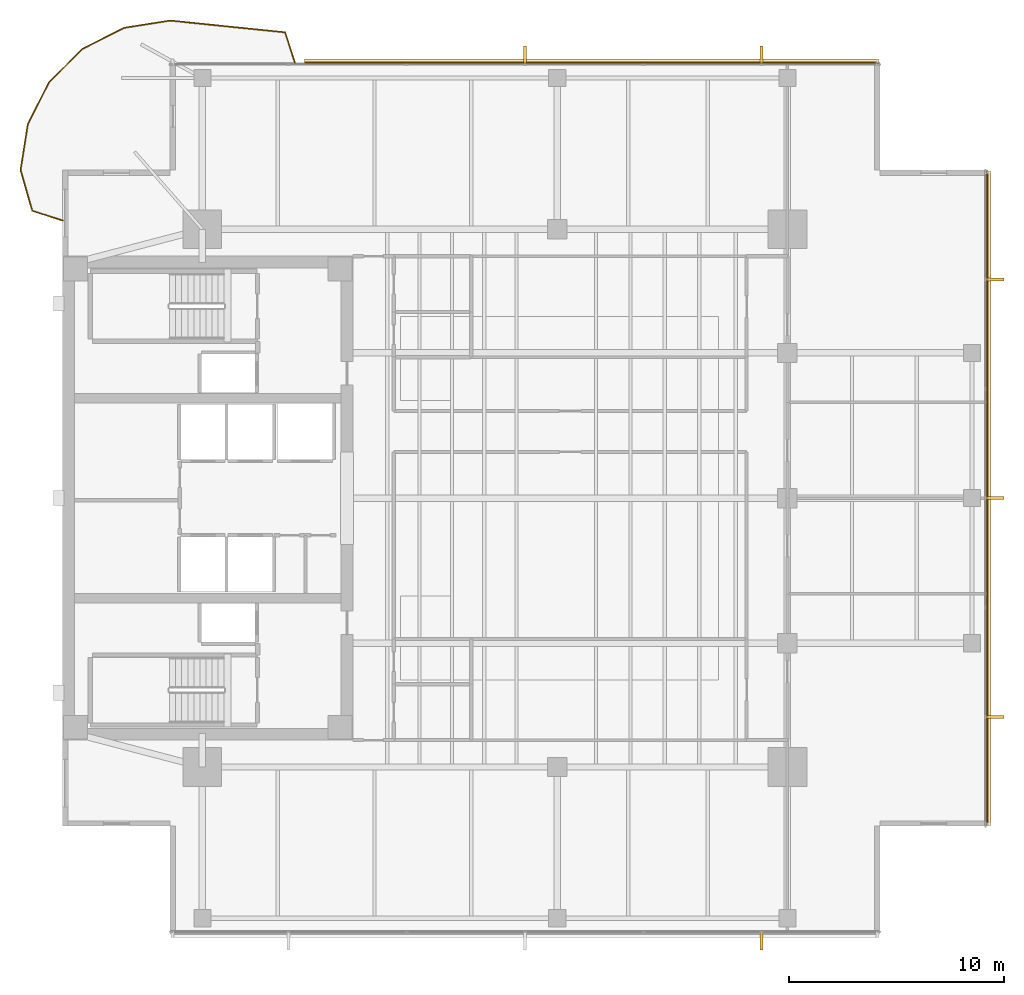
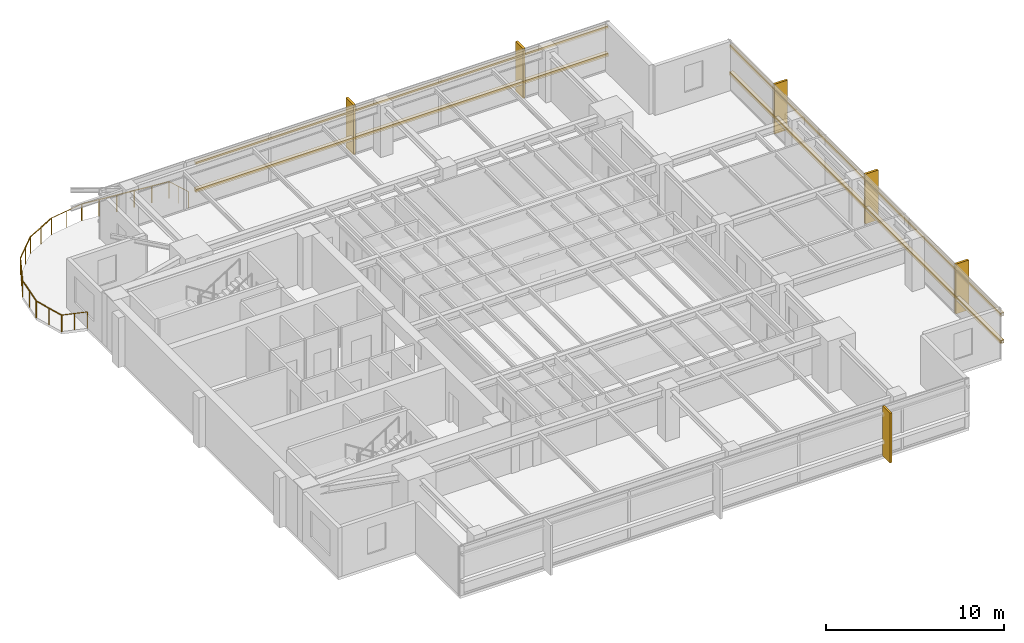
# One storey, part 14 of 14: 10 coverings, 9 railings, 4 shading devices.
"""IFC4 building model written with IfcOpenShell, lengths in metres."""

from ifc_helpers import new_model, si_unit, direction, frame, origin, origin_2d, place, context, subcontext, project, spatial, polyline, rectangle, circle, outline, extrude, material, layer, layer_set, material_profile, profile_set, type_object, element, save


model = new_model("IFC4")

# Units and contexts
model_context = context("Model", 3, precision=1e-05, world=origin(), true_north=direction((0.0, 1.0)))
body_context = subcontext(model_context, "Body", "Model", "MODEL_VIEW")
ifc_project = project(units=[si_unit("LENGTHUNIT", "METRE"), si_unit("AREAUNIT", "SQUARE_METRE"), si_unit("VOLUMEUNIT", "CUBIC_METRE"), si_unit("PLANEANGLEUNIT", "RADIAN"), si_unit("MASSUNIT", "GRAM", prefix="KILO")], contexts=[model_context])

# Site, building, storey
site_placement = place(None, origin())
site = spatial("IfcSite", under=ifc_project, at=site_placement, CompositionType="ELEMENT")
building_placement = place(site_placement, origin())
building = spatial("IfcBuilding", under=site, at=building_placement, Name="Kinhvarn Gate Tower", CompositionType="ELEMENT")
storey_placement = place(building_placement, frame((0.0, 0.0, 202.25)))
storey = spatial("IfcBuildingStorey", under=building, at=storey_placement, Name="L53", CompositionType="ELEMENT", Elevation=202.25)

# Coverings
ifc_material_1 = material(Name="Fired architectural terracotta", Category="masonry")
ifc_layer_1 = layer(ifc_material_1, 0.239990234375)
ifc_layer_set_1 = layer_set([ifc_layer_1], Name="Fired architectural terracotta")
covering_type_1 = type_object("IfcCoveringType", Name="COV-BAG-220", PredefinedType="CLADDING", material=ifc_layer_set_1)
for number, where, name in (
    (1, (0.0, 0.0, 0.93994140625), "Terracotta Horizontal Sunscreen Band TBG-220 (L53)"),
    (2, (0.0, 0.0, 2.81005859375), "Terracotta Horizontal Sunscreen Band TBG-220 (L53)"),
):
    element("IfcCovering", number, at=place(storey_placement, frame(where)), inside=storey, type_object=covering_type_1, Name=name, PredefinedType="CLADDING", context=body_context, shape_type="SweptSolid", body=[
        extrude(outline(polyline([(42.4599609375, 45.429931640625), (15.7490234375, 45.429931640625), (15.7490234375, 45.669921875), (42.4599609375, 45.669921875), (42.4599609375, 45.429931640625)])), origin(), (0.0, 0.0, 1.0), 0.219970703125),
    ])
for number, where, name in (
    (3, (0.0, 0.0, 0.93994140625), "Terracotta Horizontal Sunscreen Band TBG-220 (L53)"),
    (4, (0.0, 0.0, 2.81005859375), "Terracotta Horizontal Sunscreen Band TBG-220 (L53)"),
):
    element("IfcCovering", number, at=place(storey_placement, frame(where)), inside=storey, type_object=covering_type_1, Name=name, PredefinedType="CLADDING", context=body_context, shape_type="SweptSolid", body=[
        extrude(outline(polyline([(47.429931640625, 10.0400390625), (47.429931640625, 40.4599609375), (47.669921875, 40.4599609375), (47.669921875, 10.0400390625), (47.429931640625, 10.0400390625)])), origin(), (0.0, 0.0, 1.0), 0.219970703125),
    ])
ifc_layer_2 = layer(ifc_material_1, 0.139892578125)
ifc_layer_set_2 = layer_set([ifc_layer_2], Name="Fired architectural terracotta")
covering_type_2 = type_object("IfcCoveringType", Name="COV-FIN-850", PredefinedType="CLADDING", material=ifc_layer_set_2)
covering_1_placement = place(storey_placement, frame((0.0, 0.0, -0.02001953125)))
element("IfcCovering", 5, at=covering_1_placement, inside=storey, type_object=covering_type_2, Name="Vertical Terracotta Expressive Fin TFN-850 (L53)", PredefinedType="CLADDING", context=body_context, shape_type="SweptSolid", body=[
    extrude(outline(polyline([(36.929931640625, 5.080078125), (37.070068359375, 5.080078125), (37.070068359375, 4.22998046875), (36.929931640625, 4.22998046875), (36.929931640625, 5.080078125)])), origin(), (0.0, 0.0, 1.0), 3.409912109375),
])
covering_2_placement = place(storey_placement, frame((0.0, 0.0, -0.02001953125)))
element("IfcCovering", 6, at=covering_2_placement, inside=storey, type_object=covering_type_2, Name="Vertical Terracotta Expressive Fin TFN-850 (L53)", PredefinedType="CLADDING", context=body_context, shape_type="SweptSolid", body=[
    extrude(outline(polyline([(37.070068359375, 45.419921875), (36.929931640625, 45.419921875), (36.929931640625, 46.27001953125), (37.070068359375, 46.27001953125), (37.070068359375, 45.419921875)])), origin(), (0.0, 0.0, 1.0), 3.409912109375),
])
covering_3_placement = place(storey_placement, frame((0.0, 0.0, -0.02001953125)))
element("IfcCovering", 7, at=covering_3_placement, inside=storey, type_object=covering_type_2, Name="Vertical Terracotta Expressive Fin TFN-850 (L53)", PredefinedType="CLADDING", context=body_context, shape_type="SweptSolid", body=[
    extrude(outline(polyline([(26.070068359375, 45.419921875), (25.929931640625, 45.419921875), (25.929931640625, 46.27001953125), (26.070068359375, 46.27001953125), (26.070068359375, 45.419921875)])), origin(), (0.0, 0.0, 1.0), 3.409912109375),
])
covering_4_placement = place(storey_placement, frame((0.0, 0.0, -0.02001953125)))
element("IfcCovering", 8, at=covering_4_placement, inside=storey, type_object=covering_type_2, Name="Vertical Terracotta Expressive Fin TFN-850 (L53)", PredefinedType="CLADDING", context=body_context, shape_type="SweptSolid", body=[
    extrude(outline(polyline([(47.419921875, 15.01318359375), (47.419921875, 15.1533203125), (48.27001953125, 15.1533203125), (48.27001953125, 15.01318359375), (47.419921875, 15.01318359375)])), origin(), (0.0, 0.0, 1.0), 3.409912109375),
])
covering_5_placement = place(storey_placement, frame((0.0, 0.0, -0.02001953125)))
element("IfcCovering", 9, at=covering_5_placement, inside=storey, type_object=covering_type_2, Name="Vertical Terracotta Expressive Fin TFN-850 (L53)", PredefinedType="CLADDING", context=body_context, shape_type="SweptSolid", body=[
    extrude(outline(polyline([(47.419921875, 25.179931640625), (47.419921875, 25.320068359375), (48.27001953125, 25.320068359375), (48.27001953125, 25.179931640625), (47.419921875, 25.179931640625)])), origin(), (0.0, 0.0, 1.0), 3.409912109375),
])
covering_6_placement = place(storey_placement, frame((0.0, 0.0, -0.02001953125)))
element("IfcCovering", 10, at=covering_6_placement, inside=storey, type_object=covering_type_2, Name="Vertical Terracotta Expressive Fin TFN-850 (L53)", PredefinedType="CLADDING", context=body_context, shape_type="SweptSolid", body=[
    extrude(outline(polyline([(47.419921875, 35.3466796875), (47.419921875, 35.48681640625), (48.27001953125, 35.48681640625), (48.27001953125, 35.3466796875), (47.419921875, 35.3466796875)])), origin(), (0.0, 0.0, 1.0), 3.409912109375),
])

# Railings
ifc_material_2 = material(Name="Clear low-e double glazing", Category="glass")
railing_type = type_object("IfcRailingType", Name="RL-BAL-1150", PredefinedType="BALUSTRADE", material=ifc_material_2)
railing_1_placement = place(storey_placement, frame((15.299072265625, 45.5, 0.0)))
element("IfcRailing", 11, at=railing_1_placement, inside=storey, type_object=railing_type, Name="S-Carve Balcony Guardrail Seg 1 (L53)", PredefinedType="BALUSTRADE", context=body_context, shape_type="SweptSolid", body=[
    extrude(circle(Radius=0.02392578125, at=origin_2d()), frame((0.0, 0.0, 1.1259765625), z_axis=(-0.304362236663, 0.952556365205, 0.0), x_axis=(-0.952556365205, -0.304362236663, 0.0)), (0.0, 0.0, 1.0), 1.478271484375),
    extrude(circle(Radius=0.02099609375, at=origin_2d()), origin(), (0.0, 0.0, 1.0), 1.101806640625),
    extrude(circle(Radius=0.02099609375, at=origin_2d()), frame((-0.22509765625, 0.7041015625, 0.0)), (0.0, 0.0, 1.0), 1.101806640625),
    extrude(circle(Radius=0.02099609375, at=origin_2d()), frame((-0.449951171875, 1.408203125, 0.0)), (0.0, 0.0, 1.0), 1.101806640625),
])
railing_2_placement = place(storey_placement, frame((14.84912109375, 46.908203125, 0.0)))
element("IfcRailing", 12, at=railing_2_placement, inside=storey, type_object=railing_type, Name="S-Carve Balcony Guardrail Seg 2 (L53)", PredefinedType="BALUSTRADE", context=body_context, shape_type="SweptSolid", body=[
    extrude(circle(Radius=0.02392578125, at=origin_2d()), frame((0.0, 0.0, 1.1259765625), z_axis=(-0.994796080441, 0.101886006596, 0.0), x_axis=(-0.101886006596, -0.994796080441, 0.0)), (0.0, 0.0, 1.0), 5.377197265625),
    extrude(circle(Radius=0.02099609375, at=origin_2d()), origin(), (0.0, 0.0, 1.0), 1.101806640625),
    extrude(circle(Radius=0.02099609375, at=origin_2d()), frame((-1.06982421875, 0.109619140625, 0.0)), (0.0, 0.0, 1.0), 1.101806640625),
    extrude(circle(Radius=0.02099609375, at=origin_2d()), frame((-2.1396484375, 0.21923828125, 0.0)), (0.0, 0.0, 1.0), 1.101806640625),
    extrude(circle(Radius=0.02099609375, at=origin_2d()), frame((-3.20947265625, 0.32861328125, 0.0)), (0.0, 0.0, 1.0), 1.101806640625),
    extrude(circle(Radius=0.02099609375, at=origin_2d()), frame((-4.279296875, 0.438232421875, 0.0)), (0.0, 0.0, 1.0), 1.101806640625),
    extrude(circle(Radius=0.02099609375, at=origin_2d()), frame((-5.34912109375, 0.5478515625, 0.0)), (0.0, 0.0, 1.0), 1.101806640625),
])
railing_3_placement = place(storey_placement, frame((9.5, 47.4560546875, 0.0)))
element("IfcRailing", 13, at=railing_3_placement, inside=storey, type_object=railing_type, Name="S-Carve Balcony Guardrail Seg 3 (L53)", PredefinedType="BALUSTRADE", context=body_context, shape_type="SweptSolid", body=[
    extrude(circle(Radius=0.02392578125, at=origin_2d()), frame((0.0, 0.0, 1.1259765625), z_axis=(-0.98767822635, -0.156498310513, 0.0), x_axis=(0.156498310513, -0.98767822635, 0.0)), (0.0, 0.0, 1.0), 2.17626953125),
    extrude(circle(Radius=0.02099609375, at=origin_2d()), origin(), (0.0, 0.0, 1.0), 1.101806640625),
    extrude(circle(Radius=0.02099609375, at=origin_2d()), frame((-1.07470703125, -0.17041015625, 0.0)), (0.0, 0.0, 1.0), 1.101806640625),
    extrude(circle(Radius=0.02099609375, at=origin_2d()), frame((-2.1494140625, -0.340576171875, 0.0)), (0.0, 0.0, 1.0), 1.101806640625),
])
railing_4_placement = place(storey_placement, frame((7.3505859375, 47.115478515625, 0.0)))
element("IfcRailing", 14, at=railing_4_placement, inside=storey, type_object=railing_type, Name="S-Carve Balcony Guardrail Seg 4 (L53)", PredefinedType="BALUSTRADE", context=body_context, shape_type="SweptSolid", body=[
    extrude(circle(Radius=0.02392578125, at=origin_2d()), frame((0.0, 0.0, 1.1259765625), z_axis=(-0.891013813538, -0.453976193301, 0.0), x_axis=(0.453976193301, -0.891013813538, 0.0)), (0.0, 0.0, 1.0), 2.176513671875),
    extrude(circle(Radius=0.02099609375, at=origin_2d()), origin(), (0.0, 0.0, 1.0), 1.101806640625),
    extrude(circle(Radius=0.02099609375, at=origin_2d()), frame((-0.9697265625, -0.494140625, 0.0)), (0.0, 0.0, 1.0), 1.101806640625),
    extrude(circle(Radius=0.02099609375, at=origin_2d()), frame((-1.939208984375, -0.988037109375, 0.0)), (0.0, 0.0, 1.0), 1.101806640625),
])
railing_5_placement = place(storey_placement, frame((5.411376953125, 46.12744140625, 0.0)))
element("IfcRailing", 15, at=railing_5_placement, inside=storey, type_object=railing_type, Name="S-Carve Balcony Guardrail Seg 5 (L53)", PredefinedType="BALUSTRADE", context=body_context, shape_type="SweptSolid", body=[
    extrude(circle(Radius=0.02392578125, at=origin_2d()), frame((0.0, 0.0, 1.1259765625), z_axis=(-0.707106781187, -0.707106781187, 0.0), x_axis=(0.707106781187, -0.707106781187, 0.0)), (0.0, 0.0, 1.0), 2.17626953125),
    extrude(circle(Radius=0.02099609375, at=origin_2d()), origin(), (0.0, 0.0, 1.0), 1.101806640625),
    extrude(circle(Radius=0.02099609375, at=origin_2d()), frame((-0.76953125, -0.76953125, 0.0)), (0.0, 0.0, 1.0), 1.101806640625),
    extrude(circle(Radius=0.02099609375, at=origin_2d()), frame((-1.538818359375, -1.538818359375, 0.0)), (0.0, 0.0, 1.0), 1.101806640625),
])
railing_6_placement = place(storey_placement, frame((3.87255859375, 44.588623046875, 0.0)))
element("IfcRailing", 16, at=railing_6_placement, inside=storey, type_object=railing_type, Name="S-Carve Balcony Guardrail Seg 6 (L53)", PredefinedType="BALUSTRADE", context=body_context, shape_type="SweptSolid", body=[
    extrude(circle(Radius=0.02392578125, at=origin_2d()), frame((0.0, 0.0, 1.1259765625), z_axis=(-0.453976193301, -0.891013813538, 0.0), x_axis=(0.891013813538, -0.453976193301, 0.0)), (0.0, 0.0, 1.0), 2.176513671875),
    extrude(circle(Radius=0.02099609375, at=origin_2d()), origin(), (0.0, 0.0, 1.0), 1.101806640625),
    extrude(circle(Radius=0.02099609375, at=origin_2d()), frame((-0.494140625, -0.9697265625, 0.0)), (0.0, 0.0, 1.0), 1.101806640625),
    extrude(circle(Radius=0.02099609375, at=origin_2d()), frame((-0.988037109375, -1.939208984375, 0.0)), (0.0, 0.0, 1.0), 1.101806640625),
])
railing_7_placement = place(storey_placement, frame((2.884521484375, 42.6494140625, 0.0)))
element("IfcRailing", 17, at=railing_7_placement, inside=storey, type_object=railing_type, Name="S-Carve Balcony Guardrail Seg 7 (L53)", PredefinedType="BALUSTRADE", context=body_context, shape_type="SweptSolid", body=[
    extrude(circle(Radius=0.02392578125, at=origin_2d()), frame((0.0, 0.0, 1.1259765625), z_axis=(-0.156498310513, -0.98767822635, 0.0), x_axis=(0.98767822635, -0.156498310513, 0.0)), (0.0, 0.0, 1.0), 2.17626953125),
    extrude(circle(Radius=0.02099609375, at=origin_2d()), origin(), (0.0, 0.0, 1.0), 1.101806640625),
    extrude(circle(Radius=0.02099609375, at=origin_2d()), frame((-0.17041015625, -1.07470703125, 0.0)), (0.0, 0.0, 1.0), 1.101806640625),
    extrude(circle(Radius=0.02099609375, at=origin_2d()), frame((-0.340576171875, -2.1494140625, 0.0)), (0.0, 0.0, 1.0), 1.101806640625),
])
railing_8_placement = place(storey_placement, frame((2.5439453125, 40.5, 0.0)))
element("IfcRailing", 18, at=railing_8_placement, inside=storey, type_object=railing_type, Name="S-Carve Balcony Guardrail Seg 8 (L53)", PredefinedType="BALUSTRADE", context=body_context, shape_type="SweptSolid", body=[
    extrude(circle(Radius=0.02392578125, at=origin_2d()), frame((0.0, 0.0, 1.1259765625), z_axis=(0.277991899773, -0.960583418377, 0.0), x_axis=(0.960583418377, 0.277991899773, 0.0)), (0.0, 0.0, 1.0), 1.970703125),
    extrude(circle(Radius=0.02099609375, at=origin_2d()), origin(), (0.0, 0.0, 1.0), 1.101806640625),
    extrude(circle(Radius=0.02099609375, at=origin_2d()), frame((0.27392578125, -0.946533203125, 0.0)), (0.0, 0.0, 1.0), 1.101806640625),
    extrude(circle(Radius=0.02099609375, at=origin_2d()), frame((0.5478515625, -1.89306640625, 0.0)), (0.0, 0.0, 1.0), 1.101806640625),
])
railing_9_placement = place(storey_placement, frame((3.091796875, 38.60693359375, 0.0)))
element("IfcRailing", 19, at=railing_9_placement, inside=storey, type_object=railing_type, Name="S-Carve Balcony Guardrail Seg 9 (L53)", PredefinedType="BALUSTRADE", context=body_context, shape_type="SweptSolid", body=[
    extrude(circle(Radius=0.02392578125, at=origin_2d()), frame((0.0, 0.0, 1.1259765625), z_axis=(0.952556365205, -0.304362236663, 0.0), x_axis=(0.304362236663, 0.952556365205, 0.0)), (0.0, 0.0, 1.0), 1.478271484375),
    extrude(circle(Radius=0.02099609375, at=origin_2d()), origin(), (0.0, 0.0, 1.0), 1.101806640625),
    extrude(circle(Radius=0.02099609375, at=origin_2d()), frame((0.7041015625, -0.22509765625, 0.0)), (0.0, 0.0, 1.0), 1.101806640625),
    extrude(circle(Radius=0.02099609375, at=origin_2d()), frame((1.408203125, -0.449951171875, 0.0)), (0.0, 0.0, 1.0), 1.101806640625),
])

# Shading devices
ifc_material_profile = material_profile(ifc_material_1, rectangle(XDim=0.050048828125, YDim=0.1201171875, at=origin_2d()), Name="TC 50x120")
ifc_profile_set = profile_set([ifc_material_profile], Name="Fired architectural terracotta")
shading_device_type = type_object("IfcShadingDeviceType", Name="SHD-BAG-140", PredefinedType="USERDEFINED", material=ifc_profile_set)
for number, where, z_axis, x_axis, name in (
    (20, (42.4599609375, 45.5, 1.050048828125), (-1.0, 0.0, 0.0), (0.0, -1.0, 0.0), "Upper Tower Terracotta Baguette Screen Rod 50x120 mm (L53)"),
    (21, (42.4599609375, 45.5, 2.919921875), (-1.0, 0.0, 0.0), (0.0, -1.0, 0.0), "Upper Tower Terracotta Baguette Screen Rod 50x120 mm (L53)"),
):
    element("IfcShadingDevice", number, at=place(storey_placement, frame(where, z_axis=z_axis, x_axis=x_axis)), inside=storey, type_object=shading_device_type, Name=name, ObjectType="BAGUETTE", PredefinedType="USERDEFINED", context=body_context, shape_type="SweptSolid", body=[
        extrude(rectangle(XDim=0.050048828125, YDim=0.1201171875, at=origin_2d()), origin(), (0.0, 0.0, 1.0), 26.7109375),
    ])
for number, where, z_axis, x_axis, name in (
    (22, (47.5, 10.0400390625, 1.050048828125), (0.0, 1.0, 0.0), (-1.0, 0.0, 0.0), "Upper Tower Terracotta Baguette Screen Rod 50x120 mm (L53)"),
    (23, (47.5, 10.0400390625, 2.919921875), (0.0, 1.0, 0.0), (-1.0, 0.0, 0.0), "Upper Tower Terracotta Baguette Screen Rod 50x120 mm (L53)"),
):
    element("IfcShadingDevice", number, at=place(storey_placement, frame(where, z_axis=z_axis, x_axis=x_axis)), inside=storey, type_object=shading_device_type, Name=name, ObjectType="BAGUETTE", PredefinedType="USERDEFINED", context=body_context, shape_type="SweptSolid", body=[
        extrude(rectangle(XDim=0.050048828125, YDim=0.1201171875, at=origin_2d()), origin(), (0.0, 0.0, 1.0), 30.419921875),
    ])

save(model, "model.ifc")
